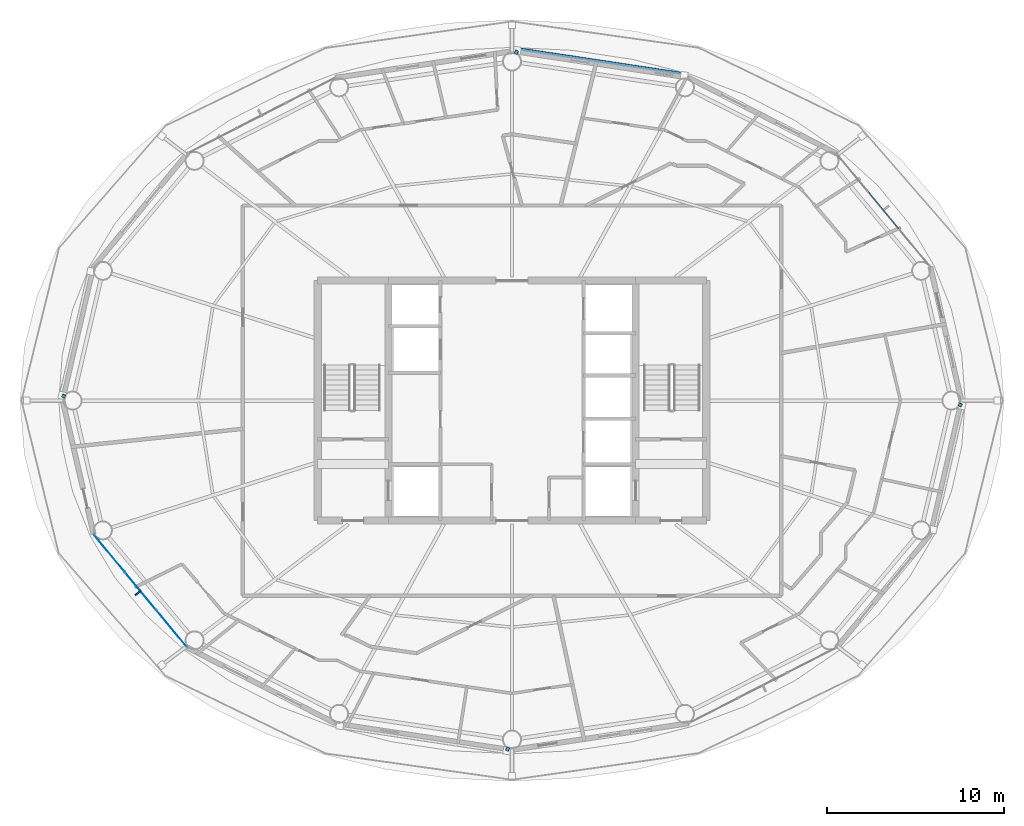
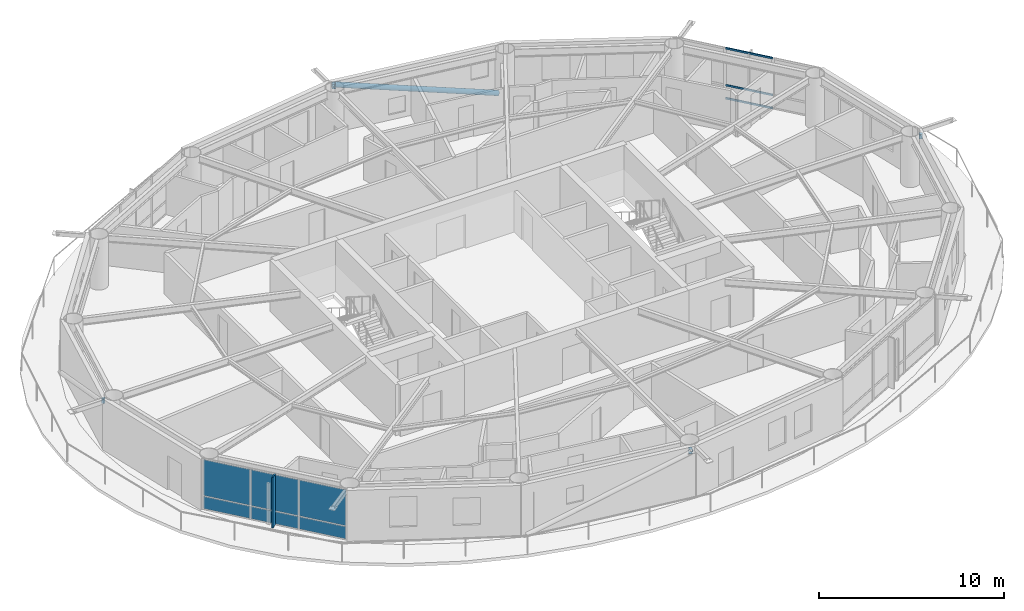
# One storey, part 12 of 23: 8 members, 7 plates, 2 elements without a shape of their own.
"""IFC4 building model written with IfcOpenShell, lengths in metres."""

from ifc_helpers import new_model, si_unit, direction, frame, origin, origin_2d, place, context, subcontext, project, spatial, rectangle, hollow_rectangle, hollow_circle, extrude, material, layer, layer_set, material_profile, profile_set, type_object, element, aggregate, save


model = new_model("IFC4")

# Units and contexts
model_context = context("Model", 3, precision=1e-05, world=origin(), true_north=direction((0.0, 1.0)))
body_context = subcontext(model_context, "Body", "Model", "MODEL_VIEW")
ifc_project = project(units=[si_unit("LENGTHUNIT", "METRE"), si_unit("AREAUNIT", "SQUARE_METRE"), si_unit("VOLUMEUNIT", "CUBIC_METRE"), si_unit("PLANEANGLEUNIT", "RADIAN"), si_unit("MASSUNIT", "GRAM", prefix="KILO")], contexts=[model_context])

# Site, building, storey
site_placement = place(None, origin())
site = spatial("IfcSite", under=ifc_project, at=site_placement, CompositionType="ELEMENT")
building_placement = place(site_placement, origin())
building = spatial("IfcBuilding", under=site, at=building_placement, Name="Sarneth Arch Tower", CompositionType="ELEMENT")
storey_placement = place(building_placement, frame((0.0, 0.0, 249.60009765625)))
storey = spatial("IfcBuildingStorey", under=building, at=storey_placement, Name="L64", CompositionType="ELEMENT", Elevation=249.60009765625)

# Curtain wall, members
ifc_material_1 = material(Name="Anodised aluminium Type AA25 and solar-control low-e laminated IGU", Category="aluminium")
ifc_layer_1 = layer(ifc_material_1, 0.179931640625)
ifc_layer_set_1 = layer_set([ifc_layer_1], Name="Anodised aluminium Type AA25 and solar-control low-e laminated IGU")
curtain_wall_type = type_object("IfcCurtainWallType", Name="CW-RES-HIGH", PredefinedType="NOTDEFINED", material=ifc_layer_set_1)
curtain_wall_1_placement = place(storey_placement, origin())
curtain_wall_1 = element("IfcCurtainWall", 1, at=curtain_wall_1_placement, inside=storey, type_object=curtain_wall_type, Name="L64 Unitised curtain wall facet 02", PredefinedType="NOTDEFINED")
ifc_material_2 = material(Name="Anodised Aluminium 6063-T6", Category="aluminium")
ifc_material_profile_1 = material_profile(ifc_material_2, hollow_rectangle(XDim=0.06005859375, YDim=0.1201171875, WallThickness=0.00390625, at=origin_2d()), Name="AL-TRAN-120x60x4")
ifc_profile_set_1 = profile_set([ifc_material_profile_1], Name="Anodised Aluminium 6063-T6")
member_type_1 = type_object("IfcMemberType", Name="CW-TRANSOM", PredefinedType="USERDEFINED", material=ifc_profile_set_1)
member_1_placement = place(storey_placement, frame((69.904296875, 51.731689453125, 0.02978515625), z_axis=(-0.637617371902, 0.770353222261, 0.0), x_axis=(-0.770353222261, -0.637617371902, 0.0)))
member_1 = element("IfcMember", 2, at=member_1_placement, type_object=member_type_1, Name="CW-SYS-6 transom 2.1", ObjectType="TRANSOM", PredefinedType="USERDEFINED", context=body_context, shape_type="SweptSolid", body=[
    extrude(hollow_rectangle(XDim=0.06005859375, YDim=0.1201171875, WallThickness=0.00390625, at=origin_2d()), origin(), (0.0, 0.0, 1.0), 2.716552734375),
])
member_2_placement = place(storey_placement, frame((69.904296875, 51.731689453125, 0.89990234375), z_axis=(-0.637617371902, 0.770353222261, 0.0), x_axis=(-0.770353222261, -0.637617371902, 0.0)))
member_2 = element("IfcMember", 3, at=member_2_placement, type_object=member_type_1, Name="CW-SYS-6 transom 2.2", ObjectType="TRANSOM", PredefinedType="USERDEFINED", context=body_context, shape_type="SweptSolid", body=[
    extrude(hollow_rectangle(XDim=0.06005859375, YDim=0.1201171875, WallThickness=0.00390625, at=origin_2d()), origin(), (0.0, 0.0, 1.0), 2.716552734375),
])
member_3_placement = place(storey_placement, frame((69.904296875, 51.731689453125, 3.329833984375), z_axis=(-0.637617371902, 0.770353222261, 0.0), x_axis=(-0.770353222261, -0.637617371902, 0.0)))
member_3 = element("IfcMember", 4, at=member_3_placement, type_object=member_type_1, Name="CW-SYS-6 transom 2.3", ObjectType="TRANSOM", PredefinedType="USERDEFINED", context=body_context, shape_type="SweptSolid", body=[
    extrude(hollow_rectangle(XDim=0.06005859375, YDim=0.1201171875, WallThickness=0.00390625, at=origin_2d()), origin(), (0.0, 0.0, 1.0), 2.716552734375),
])
aggregate(curtain_wall_1, [member_1, member_2, member_3])

# Members
ifc_material_3 = material(Name="Steel S355", Category="steel")
ifc_material_profile_2 = material_profile(ifc_material_3, hollow_rectangle(XDim=0.199951171875, YDim=0.300048828125, WallThickness=0.012451171875, InnerFilletRadius=0.018798828125, OuterFilletRadius=0.03125, at=origin_2d()), Name="RHS300x200x12.5")
ifc_profile_set_2 = profile_set([ifc_material_profile_2], Name="Steel S355")
member_type_2 = type_object("IfcMemberType", Name="MEM-CANT-STRUT", PredefinedType="STRUT", material=ifc_profile_set_2)
member_4_placement = place(storey_placement, frame((48.199951171875, 61.628173828125, 3.03662109375), z_axis=(0.422710146308, 0.906264934888, 0.0), x_axis=(-0.906264934888, 0.422710146308, 0.0)))
element("IfcMember", 5, at=member_4_placement, inside=storey, type_object=member_type_2, Name="L64 Exoskeleton brace node strut 04B", PredefinedType="STRUT", context=body_context, shape_type="SweptSolid", body=[
    extrude(hollow_rectangle(XDim=0.199951171875, YDim=0.300048828125, WallThickness=0.012451171875, InnerFilletRadius=0.018798828125, OuterFilletRadius=0.03125, at=origin_2d()), origin(), (0.0, 0.0, 1.0), 0.228759765625),
])
member_5_placement = place(storey_placement, frame((22.69287109375, 42.208740234375, 3.03662109375), z_axis=(-0.89699725539, 0.442036111446, 0.0), x_axis=(-0.442036111446, -0.89699725539, 0.0)))
element("IfcMember", 6, at=member_5_placement, inside=storey, type_object=member_type_2, Name="L64 Exoskeleton brace node strut 08B", PredefinedType="STRUT", context=body_context, shape_type="SweptSolid", body=[
    extrude(hollow_rectangle(XDim=0.199951171875, YDim=0.300048828125, WallThickness=0.012451171875, InnerFilletRadius=0.018798828125, OuterFilletRadius=0.03125, at=origin_2d()), origin(), (0.0, 0.0, 1.0), 0.18896484375),
])
member_6_placement = place(storey_placement, frame((47.800048828125, 22.371826171875, 3.03662109375), z_axis=(-0.422710146308, -0.906264934888, 0.0), x_axis=(0.906264934888, -0.422710146308, 0.0)))
element("IfcMember", 7, at=member_6_placement, inside=storey, type_object=member_type_2, Name="L64 Exoskeleton brace node strut 12B", PredefinedType="STRUT", context=body_context, shape_type="SweptSolid", body=[
    extrude(hollow_rectangle(XDim=0.199951171875, YDim=0.300048828125, WallThickness=0.012451171875, InnerFilletRadius=0.018798828125, OuterFilletRadius=0.03125, at=origin_2d()), origin(), (0.0, 0.0, 1.0), 0.228759765625),
])
member_7_placement = place(storey_placement, frame((73.30712890625, 41.791259765625, 3.03662109375), z_axis=(0.89699725539, -0.442036111446, 0.0), x_axis=(0.442036111446, 0.89699725539, 0.0)))
element("IfcMember", 8, at=member_7_placement, inside=storey, type_object=member_type_2, Name="L64 Exoskeleton brace node strut 16B", PredefinedType="STRUT", context=body_context, shape_type="SweptSolid", body=[
    extrude(hollow_rectangle(XDim=0.199951171875, YDim=0.300048828125, WallThickness=0.012451171875, InnerFilletRadius=0.018798828125, OuterFilletRadius=0.03125, at=origin_2d()), origin(), (0.0, 0.0, 1.0), 0.18896484375),
])
ifc_material_4 = material(Name="Steel S355", Category="steel")
ifc_material_profile_3 = material_profile(ifc_material_4, hollow_circle(Radius=0.162109375, WallThickness=0.012451171875, at=origin_2d()), Name="CHS324x12.5")
ifc_profile_set_3 = profile_set([ifc_material_profile_3], Name="Steel S355")
member_type_3 = type_object("IfcMemberType", Name="MEM-DIAG-BR3", PredefinedType="BRACE", material=ifc_profile_set_3)
member_8_placement = place(storey_placement, frame((57.754150390625, 60.411376953125, 0.02001953125), z_axis=(-0.943056107878, 0.142001297879, 0.300800280576), x_axis=(-0.148897148305, -0.988852688335, 0.0)))
element("IfcMember", 9, at=member_8_placement, inside=storey, type_object=member_type_3, Name="L64 Perimeter frame diagonal 04", PredefinedType="BRACE", context=body_context, shape_type="SweptSolid", body=[
    extrude(hollow_circle(Radius=0.162109375, WallThickness=0.012451171875, at=origin_2d()), origin(), (0.0, 0.0, 1.0), 10.028564453125),
])

# Curtain wall, plates
curtain_wall_2_placement = place(storey_placement, origin())
curtain_wall_2 = element("IfcCurtainWall", 10, at=curtain_wall_2_placement, inside=storey, type_object=curtain_wall_type, Name="L64 Unitised curtain wall facet 10", PredefinedType="NOTDEFINED")
ifc_material_5 = material(Name="Solar-control low-e laminated IGU", Category="glass")
ifc_layer_2 = layer(ifc_material_5, 0.028076171875)
ifc_layer_set_2 = layer_set([ifc_layer_2], Name="Solar-control low-e laminated IGU")
plate_type_1 = type_object("IfcPlateType", Name="CW-PANEL", PredefinedType="CURTAIN_PANEL", material=ifc_layer_set_2)
plate_1_placement = place(storey_placement, frame((25.200927734375, 33.349365234375, 0.059814453125), z_axis=(0.0, 0.0, 1.0), x_axis=(0.637610094184, -0.770359245933, 0.0)))
plate_1 = element("IfcPlate", 11, at=plate_1_placement, type_object=plate_type_1, Name="Curtain wall glazed vision pane CW-L64-F10/P00-00", PredefinedType="CURTAIN_PANEL", context=body_context, shape_type="SweptSolid", body=[
    extrude(rectangle(XDim=2.686767578125, YDim=0.028076171875, at=origin_2d()), origin(), (0.0, 0.0, 1.0), 0.81005859375),
])
plate_2_placement = place(storey_placement, frame((25.200927734375, 33.349365234375, 0.929931640625), z_axis=(0.0, 0.0, 1.0), x_axis=(0.637610094184, -0.770359245933, 0.0)))
plate_2 = element("IfcPlate", 12, at=plate_2_placement, type_object=plate_type_1, Name="Curtain wall glazed vision pane CW-L64-F10/P00-01", PredefinedType="CURTAIN_PANEL", context=body_context, shape_type="SweptSolid", body=[
    extrude(rectangle(XDim=2.686767578125, YDim=0.028076171875, at=origin_2d()), origin(), (0.0, 0.0, 1.0), 2.3701171875),
])
plate_3_placement = place(storey_placement, frame((26.9619140625, 31.221923828125, 0.059814453125), z_axis=(0.0, 0.0, 1.0), x_axis=(0.637610094184, -0.770359245933, 0.0)))
plate_3 = element("IfcPlate", 13, at=plate_3_placement, type_object=plate_type_1, Name="Curtain wall glazed vision pane CW-L64-F10/P01-00", PredefinedType="CURTAIN_PANEL", context=body_context, shape_type="SweptSolid", body=[
    extrude(rectangle(XDim=2.716552734375, YDim=0.028076171875, at=origin_2d()), origin(), (0.0, 0.0, 1.0), 0.81005859375),
])
plate_4_placement = place(storey_placement, frame((26.9619140625, 31.221923828125, 0.929931640625), z_axis=(0.0, 0.0, 1.0), x_axis=(0.637610094184, -0.770359245933, 0.0)))
plate_4 = element("IfcPlate", 14, at=plate_4_placement, type_object=plate_type_1, Name="Curtain wall glazed vision pane CW-L64-F10/P01-01", PredefinedType="CURTAIN_PANEL", context=body_context, shape_type="SweptSolid", body=[
    extrude(rectangle(XDim=2.716552734375, YDim=0.028076171875, at=origin_2d()), origin(), (0.0, 0.0, 1.0), 2.3701171875),
])
plate_5_placement = place(storey_placement, frame((28.72265625, 29.094482421875, 0.059814453125), z_axis=(0.0, 0.0, 1.0), x_axis=(0.637610094184, -0.770359245933, 0.0)))
plate_5 = element("IfcPlate", 15, at=plate_5_placement, type_object=plate_type_1, Name="Curtain wall glazed vision pane CW-L64-F10/P02-00", PredefinedType="CURTAIN_PANEL", context=body_context, shape_type="SweptSolid", body=[
    extrude(rectangle(XDim=2.686767578125, YDim=0.028076171875, at=origin_2d()), origin(), (0.0, 0.0, 1.0), 0.81005859375),
])
plate_6_placement = place(storey_placement, frame((28.72265625, 29.094482421875, 0.929931640625), z_axis=(0.0, 0.0, 1.0), x_axis=(0.637610094184, -0.770359245933, 0.0)))
plate_6 = element("IfcPlate", 16, at=plate_6_placement, type_object=plate_type_1, Name="Curtain wall glazed vision pane CW-L64-F10/P02-01", PredefinedType="CURTAIN_PANEL", context=body_context, shape_type="SweptSolid", body=[
    extrude(rectangle(XDim=2.686767578125, YDim=0.028076171875, at=origin_2d()), origin(), (0.0, 0.0, 1.0), 2.3701171875),
])
aggregate(curtain_wall_2, [plate_1, plate_2, plate_3, plate_4, plate_5, plate_6])

# Plate
ifc_material_6 = material(Name="Extruded glazed terracotta baguette fin on Aluminium 6063-T6 carrier", Category="masonry")
ifc_layer_3 = layer(ifc_material_6, 0.080078125)
ifc_layer_set_3 = layer_set([ifc_layer_3], Name="Extruded glazed terracotta baguette fin on Aluminium 6063-T6 carrier")
plate_type_2 = type_object("IfcPlateType", Name="SHADE-TERRA-FIN", PredefinedType="SHEET", material=ifc_layer_set_3)
plate_7_placement = place(storey_placement, frame((26.830810546875, 31.113525390625, 0.009765625), z_axis=(0.0, 0.0, 1.0), x_axis=(-0.770401979567, -0.63755845997, 0.0)))
element("IfcPlate", 17, at=plate_7_placement, inside=storey, type_object=plate_type_2, Name="L64 Terracotta vertical shading fin 10", PredefinedType="SHEET", context=body_context, shape_type="SweptSolid", body=[
    extrude(rectangle(XDim=0.419921875, YDim=0.080078125, at=origin_2d()), origin(), (0.0, 0.0, 1.0), 3.340087890625),
])

save(model, "model.ifc")
